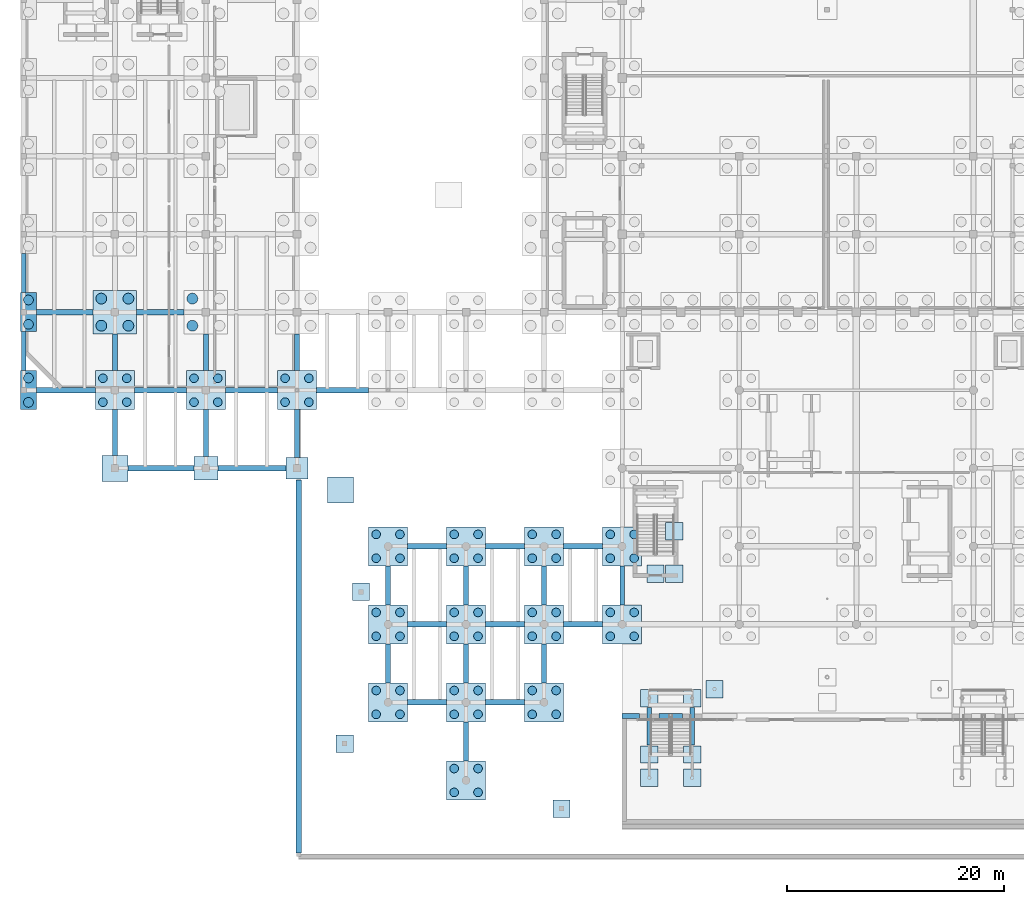
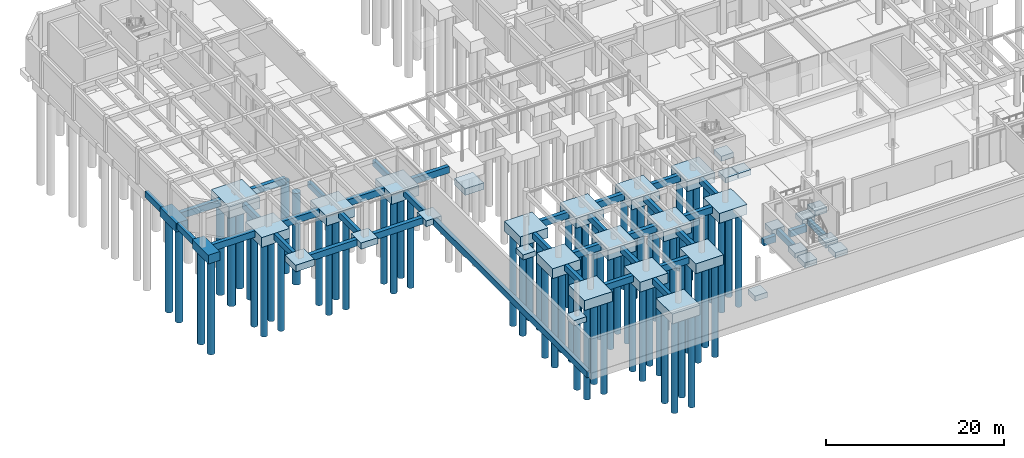
# One storey, part 1 of 46: 72 footings, 70 piles.
"""IFC4 building model written with IfcOpenShell, lengths in metres."""

from ifc_helpers import new_model, si_unit, direction, frame, origin, origin_2d, place, context, subcontext, project, spatial, rectangle, circle, extrude, material, material_profile, profile_set, type_object, element, save


model = new_model("IFC4")

# Units and contexts
model_context = context("Model", 3, precision=1e-05, world=origin(), true_north=direction((0.0, 1.0)))
body_context = subcontext(model_context, "Body", "Model", "MODEL_VIEW")
ifc_project = project(units=[si_unit("LENGTHUNIT", "METRE"), si_unit("AREAUNIT", "SQUARE_METRE"), si_unit("VOLUMEUNIT", "CUBIC_METRE"), si_unit("PLANEANGLEUNIT", "RADIAN"), si_unit("MASSUNIT", "GRAM", prefix="KILO")], contexts=[model_context])

# Site, building, storey
site_placement = place(None, origin())
site = spatial("IfcSite", under=ifc_project, at=site_placement, CompositionType="ELEMENT")
building_placement = place(site_placement, origin())
building = spatial("IfcBuilding", under=site, at=building_placement, Name="Tazoul Stagehouse", CompositionType="ELEMENT")
storey_placement = place(building_placement, frame((0.0, 0.0, -4.800048828125)))
storey = spatial("IfcBuildingStorey", under=building, at=storey_placement, Name="B1", CompositionType="ELEMENT", Elevation=-4.800048828125)

# Piles
ifc_material = material(Name="Concrete C35/45", Category="concrete")
ifc_material_profile_1 = material_profile(ifc_material, circle(Radius=0.5, at=origin_2d()), Name="BORED PILE 1000")
ifc_profile_set_1 = profile_set([ifc_material_profile_1], Name="Concrete C35/45")
pile_type_1 = type_object("IfcPileType", Name="Bored Cast-in-Place Concrete Pile D1000", PredefinedType="BORED", material=ifc_profile_set_1)
for number, where, z_axis, x_axis, name in (
    (1, (9.550048828125, 50.550048828125, -1.449951171875), (0.0, 0.0, -1.0), (1.0, 0.0, 0.0), "Bored Pile PL-03 2/H-1"),
    (2, (12.050048828125, 50.550048828125, -1.449951171875), (0.0, 0.0, -1.0), (1.0, 0.0, 0.0), "Bored Pile PL-03 2/H-2"),
    (3, (9.550048828125, 53.050048828125, -1.449951171875), (0.0, 0.0, -1.0), (1.0, 0.0, 0.0), "Bored Pile PL-03 2/H-3"),
    (4, (12.050048828125, 53.050048828125, -1.449951171875), (0.0, 0.0, -1.0), (1.0, 0.0, 0.0), "Bored Pile PL-03 2/H-4"),
    (5, (17.949951171875, 50.550048828125, -1.449951171875), (0.0, 0.0, -1.0), (1.0, 0.0, 0.0), "Bored Pile PL-03 3/H-1"),
    (6, (17.949951171875, 53.050048828125, -1.449951171875), (0.0, 0.0, -1.0), (1.0, 0.0, 0.0), "Bored Pile PL-03 3/H-3"),
):
    element("IfcPile", number, at=place(storey_placement, frame(where, z_axis=z_axis, x_axis=x_axis)), inside=storey, type_object=pile_type_1, Name=name, PredefinedType="BORED", context=body_context, shape_type="SweptSolid", body=[
        extrude(circle(Radius=0.5, at=origin_2d()), origin(), (0.0, 0.0, 1.0), 12.550048828125),
    ])
ifc_material_profile_2 = material_profile(ifc_material, circle(Radius=0.39990234375, at=origin_2d()), Name="BORED PILE 800")
ifc_profile_set_2 = profile_set([ifc_material_profile_2], Name="Concrete C35/45")
pile_type_2 = type_object("IfcPileType", Name="Bored Cast-in-Place Concrete Pile D800", PredefinedType="BORED", material=ifc_profile_set_2)
for number, where, z_axis, x_axis, name in (
    (7, (9.699951171875, 43.5, -1.25), (0.0, 0.0, -1.0), (1.0, 0.0, 0.0), "Bored Pile PL-01 2/G-1"),
    (8, (11.89990234375, 43.5, -1.25), (0.0, 0.0, -1.0), (1.0, 0.0, 0.0), "Bored Pile PL-01 2/G-2"),
    (9, (9.699951171875, 45.699951171875, -1.25), (0.0, 0.0, -1.0), (1.0, 0.0, 0.0), "Bored Pile PL-01 2/G-3"),
    (10, (11.89990234375, 45.699951171875, -1.25), (0.0, 0.0, -1.0), (1.0, 0.0, 0.0), "Bored Pile PL-01 2/G-4"),
    (11, (18.10009765625, 43.5, -1.25), (0.0, 0.0, -1.0), (1.0, 0.0, 0.0), "Bored Pile PL-01 3/G-1"),
    (12, (20.300048828125, 43.5, -1.25), (0.0, 0.0, -1.0), (1.0, 0.0, 0.0), "Bored Pile PL-01 3/G-2"),
    (13, (18.10009765625, 45.699951171875, -1.25), (0.0, 0.0, -1.0), (1.0, 0.0, 0.0), "Bored Pile PL-01 3/G-3"),
    (14, (20.300048828125, 45.699951171875, -1.25), (0.0, 0.0, -1.0), (1.0, 0.0, 0.0), "Bored Pile PL-01 3/G-4"),
    (15, (26.5, 43.5, -1.25), (0.0, 0.0, -1.0), (1.0, 0.0, 0.0), "Bored Pile PL-01 4/G-1"),
    (16, (28.699951171875, 43.5, -1.25), (0.0, 0.0, -1.0), (1.0, 0.0, 0.0), "Bored Pile PL-01 4/G-2"),
    (17, (26.5, 45.699951171875, -1.25), (0.0, 0.0, -1.0), (1.0, 0.0, 0.0), "Bored Pile PL-01 4/G-3"),
    (18, (28.699951171875, 45.699951171875, -1.25), (0.0, 0.0, -1.0), (1.0, 0.0, 0.0), "Bored Pile PL-01 4/G-4"),
    (19, (34.89990234375, 14.699951171875, -1.25), (0.0, 0.0, -1.0), (1.0, 0.0, 0.0), "Bored Pile PL-01 5/C-1"),
    (20, (37.10009765625, 14.699951171875, -1.25), (0.0, 0.0, -1.0), (1.0, 0.0, 0.0), "Bored Pile PL-01 5/C-2"),
    (21, (34.89990234375, 16.89990234375, -1.25), (0.0, 0.0, -1.0), (1.0, 0.0, 0.0), "Bored Pile PL-01 5/C-3"),
    (22, (37.10009765625, 16.89990234375, -1.25), (0.0, 0.0, -1.0), (1.0, 0.0, 0.0), "Bored Pile PL-01 5/C-4"),
    (23, (34.89990234375, 21.89990234375, -1.25), (0.0, 0.0, -1.0), (1.0, 0.0, 0.0), "Bored Pile PL-01 5/D-1"),
    (24, (37.10009765625, 21.89990234375, -1.25), (0.0, 0.0, -1.0), (1.0, 0.0, 0.0), "Bored Pile PL-01 5/D-2"),
    (25, (34.89990234375, 24.10009765625, -1.25), (0.0, 0.0, -1.0), (1.0, 0.0, 0.0), "Bored Pile PL-01 5/D-3"),
    (26, (37.10009765625, 24.10009765625, -1.25), (0.0, 0.0, -1.0), (1.0, 0.0, 0.0), "Bored Pile PL-01 5/D-4"),
    (27, (34.89990234375, 29.10009765625, -1.25), (0.0, 0.0, -1.0), (1.0, 0.0, 0.0), "Bored Pile PL-01 5/E-1"),
    (28, (37.10009765625, 29.10009765625, -1.25), (0.0, 0.0, -1.0), (1.0, 0.0, 0.0), "Bored Pile PL-01 5/E-2"),
    (29, (34.89990234375, 31.300048828125, -1.25), (0.0, 0.0, -1.0), (1.0, 0.0, 0.0), "Bored Pile PL-01 5/E-3"),
    (30, (37.10009765625, 31.300048828125, -1.25), (0.0, 0.0, -1.0), (1.0, 0.0, 0.0), "Bored Pile PL-01 5/E-4"),
    (31, (42.10009765625, 7.5, -1.25), (0.0, 0.0, -1.0), (1.0, 0.0, 0.0), "Bored Pile PL-01 6/B-1"),
    (32, (44.300048828125, 7.5, -1.25), (0.0, 0.0, -1.0), (1.0, 0.0, 0.0), "Bored Pile PL-01 6/B-2"),
    (33, (42.10009765625, 9.699951171875, -1.25), (0.0, 0.0, -1.0), (1.0, 0.0, 0.0), "Bored Pile PL-01 6/B-3"),
    (34, (44.300048828125, 9.699951171875, -1.25), (0.0, 0.0, -1.0), (1.0, 0.0, 0.0), "Bored Pile PL-01 6/B-4"),
    (35, (42.10009765625, 14.699951171875, -1.25), (0.0, 0.0, -1.0), (1.0, 0.0, 0.0), "Bored Pile PL-01 6/C-1"),
    (36, (44.300048828125, 14.699951171875, -1.25), (0.0, 0.0, -1.0), (1.0, 0.0, 0.0), "Bored Pile PL-01 6/C-2"),
    (37, (42.10009765625, 16.89990234375, -1.25), (0.0, 0.0, -1.0), (1.0, 0.0, 0.0), "Bored Pile PL-01 6/C-3"),
    (38, (44.300048828125, 16.89990234375, -1.25), (0.0, 0.0, -1.0), (1.0, 0.0, 0.0), "Bored Pile PL-01 6/C-4"),
    (39, (42.10009765625, 21.89990234375, -1.25), (0.0, 0.0, -1.0), (1.0, 0.0, 0.0), "Bored Pile PL-01 6/D-1"),
    (40, (44.300048828125, 21.89990234375, -1.25), (0.0, 0.0, -1.0), (1.0, 0.0, 0.0), "Bored Pile PL-01 6/D-2"),
    (41, (42.10009765625, 24.10009765625, -1.25), (0.0, 0.0, -1.0), (1.0, 0.0, 0.0), "Bored Pile PL-01 6/D-3"),
    (42, (44.300048828125, 24.10009765625, -1.25), (0.0, 0.0, -1.0), (1.0, 0.0, 0.0), "Bored Pile PL-01 6/D-4"),
    (43, (42.10009765625, 29.10009765625, -1.25), (0.0, 0.0, -1.0), (1.0, 0.0, 0.0), "Bored Pile PL-01 6/E-1"),
    (44, (44.300048828125, 29.10009765625, -1.25), (0.0, 0.0, -1.0), (1.0, 0.0, 0.0), "Bored Pile PL-01 6/E-2"),
    (45, (42.10009765625, 31.300048828125, -1.25), (0.0, 0.0, -1.0), (1.0, 0.0, 0.0), "Bored Pile PL-01 6/E-3"),
    (46, (44.300048828125, 31.300048828125, -1.25), (0.0, 0.0, -1.0), (1.0, 0.0, 0.0), "Bored Pile PL-01 6/E-4"),
    (47, (49.300048828125, 14.699951171875, -1.25), (0.0, 0.0, -1.0), (1.0, 0.0, 0.0), "Bored Pile PL-01 7/C-1"),
    (48, (51.5, 14.699951171875, -1.25), (0.0, 0.0, -1.0), (1.0, 0.0, 0.0), "Bored Pile PL-01 7/C-2"),
    (49, (49.300048828125, 16.89990234375, -1.25), (0.0, 0.0, -1.0), (1.0, 0.0, 0.0), "Bored Pile PL-01 7/C-3"),
    (50, (51.5, 16.89990234375, -1.25), (0.0, 0.0, -1.0), (1.0, 0.0, 0.0), "Bored Pile PL-01 7/C-4"),
    (51, (49.300048828125, 21.89990234375, -1.25), (0.0, 0.0, -1.0), (1.0, 0.0, 0.0), "Bored Pile PL-01 7/D-1"),
    (52, (51.5, 21.89990234375, -1.25), (0.0, 0.0, -1.0), (1.0, 0.0, 0.0), "Bored Pile PL-01 7/D-2"),
    (53, (49.300048828125, 24.10009765625, -1.25), (0.0, 0.0, -1.0), (1.0, 0.0, 0.0), "Bored Pile PL-01 7/D-3"),
    (54, (51.5, 24.10009765625, -1.25), (0.0, 0.0, -1.0), (1.0, 0.0, 0.0), "Bored Pile PL-01 7/D-4"),
    (55, (49.300048828125, 29.10009765625, -1.25), (0.0, 0.0, -1.0), (1.0, 0.0, 0.0), "Bored Pile PL-01 7/E-1"),
    (56, (51.5, 29.10009765625, -1.25), (0.0, 0.0, -1.0), (1.0, 0.0, 0.0), "Bored Pile PL-01 7/E-2"),
    (57, (49.300048828125, 31.300048828125, -1.25), (0.0, 0.0, -1.0), (1.0, 0.0, 0.0), "Bored Pile PL-01 7/E-3"),
    (58, (51.5, 31.300048828125, -1.25), (0.0, 0.0, -1.0), (1.0, 0.0, 0.0), "Bored Pile PL-01 7/E-4"),
    (59, (56.5, 21.89990234375, -1.25), (0.0, 0.0, -1.0), (1.0, 0.0, 0.0), "Bored Pile PL-01 8/D-1"),
    (60, (58.699951171875, 21.89990234375, -1.25), (0.0, 0.0, -1.0), (1.0, 0.0, 0.0), "Bored Pile PL-01 8/D-2"),
    (61, (56.5, 24.10009765625, -1.25), (0.0, 0.0, -1.0), (1.0, 0.0, 0.0), "Bored Pile PL-01 8/D-3"),
    (62, (58.699951171875, 24.10009765625, -1.25), (0.0, 0.0, -1.0), (1.0, 0.0, 0.0), "Bored Pile PL-01 8/D-4"),
    (63, (56.5, 29.10009765625, -1.25), (0.0, 0.0, -1.0), (1.0, 0.0, 0.0), "Bored Pile PL-01 8/E-1"),
    (64, (58.699951171875, 29.10009765625, -1.25), (0.0, 0.0, -1.0), (1.0, 0.0, 0.0), "Bored Pile PL-01 8/E-2"),
    (65, (56.5, 31.300048828125, -1.25), (0.0, 0.0, -1.0), (1.0, 0.0, 0.0), "Bored Pile PL-01 8/E-3"),
    (66, (58.699951171875, 31.300048828125, -1.25), (0.0, 0.0, -1.0), (1.0, 0.0, 0.0), "Bored Pile PL-01 8/E-4"),
):
    element("IfcPile", number, at=place(storey_placement, frame(where, z_axis=z_axis, x_axis=x_axis)), inside=storey, type_object=pile_type_2, Name=name, PredefinedType="BORED", context=body_context, shape_type="SweptSolid", body=[
        extrude(circle(Radius=0.39990234375, at=origin_2d()), origin(), (0.0, 0.0, 1.0), 12.75),
    ])
ifc_material_profile_3 = material_profile(ifc_material, circle(Radius=0.449951171875, at=origin_2d()), Name="BORED PILE 900")
ifc_profile_set_3 = profile_set([ifc_material_profile_3], Name="Concrete C35/45")
pile_type_3 = type_object("IfcPileType", Name="Bored Cast-in-Place Concrete Pile D900", PredefinedType="BORED", material=ifc_profile_set_3)
for number, where, z_axis, x_axis, name in (
    (67, (2.830078125, 43.47509765625, -1.099853515625), (0.0, 0.0, -1.0), (1.0, 0.0, 0.0), "Bored Pile PL-02 1/G-1"),
    (68, (2.830078125, 45.72509765625, -1.099853515625), (0.0, 0.0, -1.0), (1.0, 0.0, 0.0), "Bored Pile PL-02 1/G-2"),
    (69, (2.830078125, 50.675048828125, -1.099853515625), (0.0, 0.0, -1.0), (1.0, 0.0, 0.0), "Bored Pile PL-02 1/H-1"),
    (70, (2.830078125, 52.925048828125, -1.099853515625), (0.0, 0.0, -1.0), (1.0, 0.0, 0.0), "Bored Pile PL-02 1/H-2"),
):
    element("IfcPile", number, at=place(storey_placement, frame(where, z_axis=z_axis, x_axis=x_axis)), inside=storey, type_object=pile_type_3, Name=name, PredefinedType="BORED", context=body_context, shape_type="SweptSolid", body=[
        extrude(circle(Radius=0.449951171875, at=origin_2d()), origin(), (0.0, 0.0, 1.0), 12.89990234375),
    ])

# Footings
footing_type_1 = type_object("IfcFootingType", Name="Four-Pile Cap 3600x3600x1350", PredefinedType="PILE_CAP", material=ifc_material)
for number, where, z_axis, x_axis, name in (
    (71, (10.800048828125, 44.60009765625, -1.35009765625), (0.0, 0.0, 1.0), (1.0, 0.0, 0.0), "Pile Cap PC-04 at 2/G"),
    (72, (19.199951171875, 44.60009765625, -1.35009765625), (0.0, 0.0, 1.0), (1.0, 0.0, 0.0), "Pile Cap PC-04 at 3/G"),
    (73, (27.60009765625, 44.60009765625, -1.35009765625), (0.0, 0.0, 1.0), (1.0, 0.0, 0.0), "Pile Cap PC-04 at 4/G"),
    (74, (36.0, 15.800048828125, -1.35009765625), (0.0, 0.0, 1.0), (1.0, 0.0, 0.0), "Pile Cap PC-04 at 5/C"),
    (75, (36.0, 23.0, -1.35009765625), (0.0, 0.0, 1.0), (1.0, 0.0, 0.0), "Pile Cap PC-04 at 5/D"),
    (76, (36.0, 30.199951171875, -1.35009765625), (0.0, 0.0, 1.0), (1.0, 0.0, 0.0), "Pile Cap PC-04 at 5/E"),
    (77, (43.199951171875, 8.60009765625, -1.35009765625), (0.0, 0.0, 1.0), (1.0, 0.0, 0.0), "Pile Cap PC-04 at 6/B"),
    (78, (43.199951171875, 15.800048828125, -1.35009765625), (0.0, 0.0, 1.0), (1.0, 0.0, 0.0), "Pile Cap PC-04 at 6/C"),
    (79, (43.199951171875, 23.0, -1.35009765625), (0.0, 0.0, 1.0), (1.0, 0.0, 0.0), "Pile Cap PC-04 at 6/D"),
    (80, (43.199951171875, 30.199951171875, -1.35009765625), (0.0, 0.0, 1.0), (1.0, 0.0, 0.0), "Pile Cap PC-04 at 6/E"),
    (81, (50.39990234375, 15.800048828125, -1.35009765625), (0.0, 0.0, 1.0), (1.0, 0.0, 0.0), "Pile Cap PC-04 at 7/C"),
    (82, (50.39990234375, 23.0, -1.35009765625), (0.0, 0.0, 1.0), (1.0, 0.0, 0.0), "Pile Cap PC-04 at 7/D"),
    (83, (50.39990234375, 30.199951171875, -1.35009765625), (0.0, 0.0, 1.0), (1.0, 0.0, 0.0), "Pile Cap PC-04 at 7/E"),
    (84, (57.60009765625, 23.0, -1.35009765625), (0.0, 0.0, 1.0), (1.0, 0.0, 0.0), "Pile Cap PC-04 at 8/D"),
    (85, (57.60009765625, 30.199951171875, -1.35009765625), (0.0, 0.0, 1.0), (1.0, 0.0, 0.0), "Pile Cap PC-04 at 8/E"),
):
    element("IfcFooting", number, at=place(storey_placement, frame(where, z_axis=z_axis, x_axis=x_axis)), inside=storey, type_object=footing_type_1, Name=name, PredefinedType="PILE_CAP", context=body_context, shape_type="SweptSolid", body=[
        extrude(rectangle(XDim=3.60009765625, YDim=3.60009765625, at=origin_2d()), origin(), (0.0, 0.0, 1.0), 1.35009765625),
    ])
footing_type_2 = type_object("IfcFootingType", Name="Four-Pile Cap 4000x4000x1550", PredefinedType="PILE_CAP", material=ifc_material)
footing_1_placement = place(storey_placement, frame((10.800048828125, 51.800048828125, -1.5498046875), z_axis=(0.0, 0.0, 1.0), x_axis=(1.0, 0.0, 0.0)))
element("IfcFooting", 86, at=footing_1_placement, inside=storey, type_object=footing_type_2, Name="Pile Cap PC-06 at 2/H", PredefinedType="PILE_CAP", context=body_context, shape_type="SweptSolid", body=[
    extrude(rectangle(XDim=4.0, YDim=4.0, at=origin_2d()), origin(), (0.0, 0.0, 1.0), 1.550048828125),
])
ifc_material_profile_4 = material_profile(ifc_material, rectangle(XDim=0.449951171875, YDim=0.800048828125, at=origin_2d()), Name="RC 450x800")
ifc_profile_set_4 = profile_set([ifc_material_profile_4], Name="Concrete C35/45")
footing_type_3 = type_object("IfcFootingType", Name="Ground Tie Beam 450x800", PredefinedType="FOOTING_BEAM", material=ifc_profile_set_4)
footing_2_placement = place(storey_placement, frame((2.39990234375, 46.39990234375, -0.39990234375), z_axis=(0.0, 1.0, 0.0), x_axis=(-1.0, 0.0, 0.0)))
element("IfcFooting", 87, at=footing_2_placement, inside=storey, type_object=footing_type_3, Name="Ground Tie Beam GB-01 1/G-H", PredefinedType="FOOTING_BEAM", context=body_context, shape_type="SweptSolid", body=[
    extrude(rectangle(XDim=0.449951171875, YDim=0.800048828125, at=origin_2d()), origin(), (0.0, 0.0, 1.0), 3.60009765625),
])
footing_3_placement = place(storey_placement, frame((2.39990234375, 53.60009765625, -0.39990234375), z_axis=(0.0, 1.0, 0.0), x_axis=(-1.0, 0.0, 0.0)))
element("IfcFooting", 88, at=footing_3_placement, inside=storey, type_object=footing_type_3, Name="Ground Tie Beam GB-01 1/H-J", PredefinedType="FOOTING_BEAM", context=body_context, shape_type="SweptSolid", body=[
    extrude(rectangle(XDim=0.449951171875, YDim=0.800048828125, at=origin_2d()), origin(), (0.0, 0.0, 1.0), 3.599853515625),
])
footing_4_placement = place(storey_placement, frame((10.800048828125, 38.60009765625, -0.39990234375), z_axis=(0.0, 1.0, 0.0), x_axis=(-1.0, 0.0, 0.0)))
element("IfcFooting", 89, at=footing_4_placement, inside=storey, type_object=footing_type_3, Name="Ground Tie Beam GB-01 2/F-G", PredefinedType="FOOTING_BEAM", context=body_context, shape_type="SweptSolid", body=[
    extrude(rectangle(XDim=0.449951171875, YDim=0.800048828125, at=origin_2d()), origin(), (0.0, 0.0, 1.0), 4.199951171875),
])
footing_5_placement = place(storey_placement, frame((10.800048828125, 46.39990234375, -0.39990234375), z_axis=(0.0, 1.0, 0.0), x_axis=(-1.0, 0.0, 0.0)))
element("IfcFooting", 90, at=footing_5_placement, inside=storey, type_object=footing_type_3, Name="Ground Tie Beam GB-01 2/G-H", PredefinedType="FOOTING_BEAM", context=body_context, shape_type="SweptSolid", body=[
    extrude(rectangle(XDim=0.449951171875, YDim=0.800048828125, at=origin_2d()), origin(), (0.0, 0.0, 1.0), 3.400146484375),
])
footing_6_placement = place(storey_placement, frame((19.199951171875, 38.5, -0.39990234375), z_axis=(0.0, 1.0, 0.0), x_axis=(-1.0, 0.0, 0.0)))
element("IfcFooting", 91, at=footing_6_placement, inside=storey, type_object=footing_type_3, Name="Ground Tie Beam GB-01 3/F-G", PredefinedType="FOOTING_BEAM", context=body_context, shape_type="SweptSolid", body=[
    extrude(rectangle(XDim=0.449951171875, YDim=0.800048828125, at=origin_2d()), origin(), (0.0, 0.0, 1.0), 4.300048828125),
])
footing_7_placement = place(storey_placement, frame((19.199951171875, 46.39990234375, -0.39990234375), z_axis=(0.0, 1.0, 0.0), x_axis=(-1.0, 0.0, 0.0)))
element("IfcFooting", 92, at=footing_7_placement, inside=storey, type_object=footing_type_3, Name="Ground Tie Beam GB-01 3/G-H", PredefinedType="FOOTING_BEAM", context=body_context, shape_type="SweptSolid", body=[
    extrude(rectangle(XDim=0.449951171875, YDim=0.800048828125, at=origin_2d()), origin(), (0.0, 0.0, 1.0), 3.400146484375),
])
footing_8_placement = place(storey_placement, frame((27.60009765625, 38.39990234375, -0.39990234375), z_axis=(0.0, 1.0, 0.0), x_axis=(-1.0, 0.0, 0.0)))
element("IfcFooting", 93, at=footing_8_placement, inside=storey, type_object=footing_type_3, Name="Ground Tie Beam GB-01 4/F-G", PredefinedType="FOOTING_BEAM", context=body_context, shape_type="SweptSolid", body=[
    extrude(rectangle(XDim=0.449951171875, YDim=0.800048828125, at=origin_2d()), origin(), (0.0, 0.0, 1.0), 4.400146484375),
])
footing_9_placement = place(storey_placement, frame((27.60009765625, 46.39990234375, -0.39990234375), z_axis=(0.0, 1.0, 0.0), x_axis=(-1.0, 0.0, 0.0)))
element("IfcFooting", 94, at=footing_9_placement, inside=storey, type_object=footing_type_3, Name="Ground Tie Beam GB-01 4/G-H", PredefinedType="FOOTING_BEAM", context=body_context, shape_type="SweptSolid", body=[
    extrude(rectangle(XDim=0.449951171875, YDim=0.800048828125, at=origin_2d()), origin(), (0.0, 0.0, 1.0), 3.400146484375),
])
for number, where, z_axis, x_axis, name in (
    (95, (36.0, 17.60009765625, -0.39990234375), (0.0, 1.0, 0.0), (-1.0, 0.0, 0.0), "Ground Tie Beam GB-01 5/C-D"),
    (96, (36.0, 24.800048828125, -0.39990234375), (0.0, 1.0, 0.0), (-1.0, 0.0, 0.0), "Ground Tie Beam GB-01 5/D-E"),
):
    element("IfcFooting", number, at=place(storey_placement, frame(where, z_axis=z_axis, x_axis=x_axis)), inside=storey, type_object=footing_type_3, Name=name, PredefinedType="FOOTING_BEAM", context=body_context, shape_type="SweptSolid", body=[
        extrude(rectangle(XDim=0.449951171875, YDim=0.800048828125, at=origin_2d()), origin(), (0.0, 0.0, 1.0), 3.599853515625),
    ])
footing_10_placement = place(storey_placement, frame((43.199951171875, 10.39990234375, -0.39990234375), z_axis=(0.0, 1.0, 0.0), x_axis=(-1.0, 0.0, 0.0)))
element("IfcFooting", 97, at=footing_10_placement, inside=storey, type_object=footing_type_3, Name="Ground Tie Beam GB-01 6/B-C", PredefinedType="FOOTING_BEAM", context=body_context, shape_type="SweptSolid", body=[
    extrude(rectangle(XDim=0.449951171875, YDim=0.800048828125, at=origin_2d()), origin(), (0.0, 0.0, 1.0), 3.60009765625),
])
for number, where, z_axis, x_axis, name in (
    (98, (43.199951171875, 17.60009765625, -0.39990234375), (0.0, 1.0, 0.0), (-1.0, 0.0, 0.0), "Ground Tie Beam GB-01 6/C-D"),
    (99, (43.199951171875, 24.800048828125, -0.39990234375), (0.0, 1.0, 0.0), (-1.0, 0.0, 0.0), "Ground Tie Beam GB-01 6/D-E"),
    (100, (50.39990234375, 17.60009765625, -0.39990234375), (0.0, 1.0, 0.0), (-1.0, 0.0, 0.0), "Ground Tie Beam GB-01 7/C-D"),
    (101, (50.39990234375, 24.800048828125, -0.39990234375), (0.0, 1.0, 0.0), (-1.0, 0.0, 0.0), "Ground Tie Beam GB-01 7/D-E"),
    (102, (57.60009765625, 24.800048828125, -0.39990234375), (0.0, 1.0, 0.0), (-1.0, 0.0, 0.0), "Ground Tie Beam GB-01 8/D-E"),
):
    element("IfcFooting", number, at=place(storey_placement, frame(where, z_axis=z_axis, x_axis=x_axis)), inside=storey, type_object=footing_type_3, Name=name, PredefinedType="FOOTING_BEAM", context=body_context, shape_type="SweptSolid", body=[
        extrude(rectangle(XDim=0.449951171875, YDim=0.800048828125, at=origin_2d()), origin(), (0.0, 0.0, 1.0), 3.599853515625),
    ])
for number, where, z_axis, x_axis, name in (
    (103, (60.090087890625, 11.860107421875, -0.39990234375), (0.0, 1.0, 0.0), (-1.0, 0.0, 0.0), "Civic Stair Cheek Wall Strip Footing Beam GB-01 (ST-AMP-W-W)"),
    (104, (64.06005859375, 11.860107421875, -0.39990234375), (0.0, 1.0, 0.0), (-1.0, 0.0, 0.0), "Civic Stair Cheek Wall Strip Footing Beam GB-01 (ST-AMP-W-E)"),
):
    element("IfcFooting", number, at=place(storey_placement, frame(where, z_axis=z_axis, x_axis=x_axis)), inside=storey, type_object=footing_type_3, Name=name, PredefinedType="FOOTING_BEAM", context=body_context, shape_type="SweptSolid", body=[
        extrude(rectangle(XDim=0.449951171875, YDim=0.800048828125, at=origin_2d()), origin(), (0.0, 0.0, 1.0), 3.47998046875),
    ])
ifc_material_profile_5 = material_profile(ifc_material, rectangle(XDim=0.5, YDim=0.89990234375, at=origin_2d()), Name="RC 500x900")
ifc_profile_set_5 = profile_set([ifc_material_profile_5], Name="Concrete C35/45")
footing_type_4 = type_object("IfcFootingType", Name="Ground Tie Beam 500x900", PredefinedType="FOOTING_BEAM", material=ifc_profile_set_5)
footing_11_placement = place(storey_placement, frame((37.800048828125, 15.800048828125, -0.449951171875), z_axis=(1.0, 0.0, 0.0), x_axis=(0.0, 1.0, 0.0)))
element("IfcFooting", 105, at=footing_11_placement, inside=storey, type_object=footing_type_4, Name="Ground Tie Beam GB-02 C/5-6", PredefinedType="FOOTING_BEAM", context=body_context, shape_type="SweptSolid", body=[
    extrude(rectangle(XDim=0.5, YDim=0.89990234375, at=origin_2d()), origin(), (0.0, 0.0, 1.0), 3.599853515625),
])
footing_12_placement = place(storey_placement, frame((45.0, 15.800048828125, -0.449951171875), z_axis=(1.0, 0.0, 0.0), x_axis=(0.0, 1.0, 0.0)))
element("IfcFooting", 106, at=footing_12_placement, inside=storey, type_object=footing_type_4, Name="Ground Tie Beam GB-02 C/6-7", PredefinedType="FOOTING_BEAM", context=body_context, shape_type="SweptSolid", body=[
    extrude(rectangle(XDim=0.5, YDim=0.89990234375, at=origin_2d()), origin(), (0.0, 0.0, 1.0), 3.60009765625),
])
footing_13_placement = place(storey_placement, frame((37.800048828125, 23.0, -0.449951171875), z_axis=(1.0, 0.0, 0.0), x_axis=(0.0, 1.0, 0.0)))
element("IfcFooting", 107, at=footing_13_placement, inside=storey, type_object=footing_type_4, Name="Ground Tie Beam GB-02 D/5-6", PredefinedType="FOOTING_BEAM", context=body_context, shape_type="SweptSolid", body=[
    extrude(rectangle(XDim=0.5, YDim=0.89990234375, at=origin_2d()), origin(), (0.0, 0.0, 1.0), 3.599853515625),
])
for number, where, z_axis, x_axis, name in (
    (108, (45.0, 23.0, -0.449951171875), (1.0, 0.0, 0.0), (0.0, 1.0, 0.0), "Ground Tie Beam GB-02 D/6-7"),
    (109, (52.199951171875, 23.0, -0.449951171875), (1.0, 0.0, 0.0), (0.0, 1.0, 0.0), "Ground Tie Beam GB-02 D/7-8"),
):
    element("IfcFooting", number, at=place(storey_placement, frame(where, z_axis=z_axis, x_axis=x_axis)), inside=storey, type_object=footing_type_4, Name=name, PredefinedType="FOOTING_BEAM", context=body_context, shape_type="SweptSolid", body=[
        extrude(rectangle(XDim=0.5, YDim=0.89990234375, at=origin_2d()), origin(), (0.0, 0.0, 1.0), 3.60009765625),
    ])
footing_14_placement = place(storey_placement, frame((37.800048828125, 30.199951171875, -0.449951171875), z_axis=(1.0, 0.0, 0.0), x_axis=(0.0, 1.0, 0.0)))
element("IfcFooting", 110, at=footing_14_placement, inside=storey, type_object=footing_type_4, Name="Ground Tie Beam GB-02 E/5-6", PredefinedType="FOOTING_BEAM", context=body_context, shape_type="SweptSolid", body=[
    extrude(rectangle(XDim=0.5, YDim=0.89990234375, at=origin_2d()), origin(), (0.0, 0.0, 1.0), 3.599853515625),
])
for number, where, z_axis, x_axis, name in (
    (111, (45.0, 30.199951171875, -0.449951171875), (1.0, 0.0, 0.0), (0.0, 1.0, 0.0), "Ground Tie Beam GB-02 E/6-7"),
    (112, (52.199951171875, 30.199951171875, -0.449951171875), (1.0, 0.0, 0.0), (0.0, 1.0, 0.0), "Ground Tie Beam GB-02 E/7-8"),
):
    element("IfcFooting", number, at=place(storey_placement, frame(where, z_axis=z_axis, x_axis=x_axis)), inside=storey, type_object=footing_type_4, Name=name, PredefinedType="FOOTING_BEAM", context=body_context, shape_type="SweptSolid", body=[
        extrude(rectangle(XDim=0.5, YDim=0.89990234375, at=origin_2d()), origin(), (0.0, 0.0, 1.0), 3.60009765625),
    ])
footing_15_placement = place(storey_placement, frame((12.0, 37.39990234375, -0.449951171875), z_axis=(1.0, 0.0, 0.0), x_axis=(0.0, 1.0, 0.0)))
element("IfcFooting", 113, at=footing_15_placement, inside=storey, type_object=footing_type_4, Name="Ground Tie Beam GB-02 F/2-3", PredefinedType="FOOTING_BEAM", context=body_context, shape_type="SweptSolid", body=[
    extrude(rectangle(XDim=0.5, YDim=0.89990234375, at=origin_2d()), origin(), (0.0, 0.0, 1.0), 6.10009765625),
])
footing_16_placement = place(storey_placement, frame((20.300048828125, 37.39990234375, -0.449951171875), z_axis=(1.0, 0.0, 0.0), x_axis=(0.0, 1.0, 0.0)))
element("IfcFooting", 114, at=footing_16_placement, inside=storey, type_object=footing_type_4, Name="Ground Tie Beam GB-02 F/3-4", PredefinedType="FOOTING_BEAM", context=body_context, shape_type="SweptSolid", body=[
    extrude(rectangle(XDim=0.5, YDim=0.89990234375, at=origin_2d()), origin(), (0.0, 0.0, 1.0), 6.300048828125),
])
footing_17_placement = place(storey_placement, frame((3.580078125, 44.60009765625, -0.449951171875), z_axis=(1.0, 0.0, 0.0), x_axis=(0.0, 1.0, 0.0)))
element("IfcFooting", 115, at=footing_17_placement, inside=storey, type_object=footing_type_4, Name="Ground Tie Beam GB-02 G/1-2", PredefinedType="FOOTING_BEAM", context=body_context, shape_type="SweptSolid", body=[
    extrude(rectangle(XDim=0.5, YDim=0.89990234375, at=origin_2d()), origin(), (0.0, 0.0, 1.0), 5.419921875),
])
footing_18_placement = place(storey_placement, frame((12.60009765625, 44.60009765625, -0.449951171875), z_axis=(1.0, 0.0, 0.0), x_axis=(0.0, 1.0, 0.0)))
element("IfcFooting", 116, at=footing_18_placement, inside=storey, type_object=footing_type_4, Name="Ground Tie Beam GB-02 G/2-3", PredefinedType="FOOTING_BEAM", context=body_context, shape_type="SweptSolid", body=[
    extrude(rectangle(XDim=0.5, YDim=0.89990234375, at=origin_2d()), origin(), (0.0, 0.0, 1.0), 4.7998046875),
])
for number, where, z_axis, x_axis, name in (
    (117, (21.0, 44.60009765625, -0.449951171875), (1.0, 0.0, 0.0), (0.0, 1.0, 0.0), "Ground Tie Beam GB-02 G/3-4"),
    (118, (29.39990234375, 44.60009765625, -0.449951171875), (1.0, 0.0, 0.0), (0.0, 1.0, 0.0), "Ground Tie Beam GB-02 G/4-5"),
):
    element("IfcFooting", number, at=place(storey_placement, frame(where, z_axis=z_axis, x_axis=x_axis)), inside=storey, type_object=footing_type_4, Name=name, PredefinedType="FOOTING_BEAM", context=body_context, shape_type="SweptSolid", body=[
        extrude(rectangle(XDim=0.5, YDim=0.89990234375, at=origin_2d()), origin(), (0.0, 0.0, 1.0), 4.800048828125),
    ])
footing_19_placement = place(storey_placement, frame((3.580078125, 51.800048828125, -0.449951171875), z_axis=(1.0, 0.0, 0.0), x_axis=(0.0, 1.0, 0.0)))
element("IfcFooting", 119, at=footing_19_placement, inside=storey, type_object=footing_type_4, Name="Ground Tie Beam GB-02 H/1-2", PredefinedType="FOOTING_BEAM", context=body_context, shape_type="SweptSolid", body=[
    extrude(rectangle(XDim=0.5, YDim=0.89990234375, at=origin_2d()), origin(), (0.0, 0.0, 1.0), 5.219970703125),
])
footing_20_placement = place(storey_placement, frame((12.800048828125, 51.800048828125, -0.449951171875), z_axis=(1.0, 0.0, 0.0), x_axis=(0.0, 1.0, 0.0)))
element("IfcFooting", 120, at=footing_20_placement, inside=storey, type_object=footing_type_4, Name="Ground Tie Beam GB-02 H/2-3", PredefinedType="FOOTING_BEAM", context=body_context, shape_type="SweptSolid", body=[
    extrude(rectangle(XDim=0.5, YDim=0.89990234375, at=origin_2d()), origin(), (0.0, 0.0, 1.0), 4.39990234375),
])
footing_21_placement = place(storey_placement, frame((27.75, 1.89990234375, -0.449951171875), z_axis=(0.0, 1.0, 0.0), x_axis=(-1.0, 0.0, 0.0)))
element("IfcFooting", 121, at=footing_21_placement, inside=storey, type_object=footing_type_4, Name="Plinth Retaining Strip Footing Beam GB-02 (W-1)", PredefinedType="FOOTING_BEAM", context=body_context, shape_type="SweptSolid", body=[
    extrude(rectangle(XDim=0.5, YDim=0.89990234375, at=origin_2d()), origin(), (0.0, 0.0, 1.0), 34.400146484375),
])
footing_22_placement = place(storey_placement, frame((57.60009765625, 14.550048828125, -0.449951171875), z_axis=(1.0, 0.0, 0.0), x_axis=(0.0, 1.0, 0.0)))
element("IfcFooting", 122, at=footing_22_placement, inside=storey, type_object=footing_type_4, Name="Plinth Retaining Strip Footing Beam GB-02 (N1-1)", PredefinedType="FOOTING_BEAM", context=body_context, shape_type="SweptSolid", body=[
    extrude(rectangle(XDim=0.5, YDim=0.89990234375, at=origin_2d()), origin(), (0.0, 0.0, 1.0), 1.58984375),
])
footing_23_placement = place(storey_placement, frame((60.989990234375, 14.550048828125, -0.449951171875), z_axis=(1.0, 0.0, 0.0), x_axis=(0.0, 1.0, 0.0)))
element("IfcFooting", 123, at=footing_23_placement, inside=storey, type_object=footing_type_4, Name="Plinth Retaining Strip Footing Beam GB-02 (N1-2)", PredefinedType="FOOTING_BEAM", context=body_context, shape_type="SweptSolid", body=[
    extrude(rectangle(XDim=0.5, YDim=0.89990234375, at=origin_2d()), origin(), (0.0, 0.0, 1.0), 2.169921875),
])
footing_type_5 = type_object("IfcFootingType", Name="Spread Pad Footing 1600x1600x700", PredefinedType="PAD_FOOTING", material=ifc_material)
for number, where, z_axis, x_axis, name in (
    (124, (62.39990234375, 27.679931640625, -0.69970703125), (0.0, 0.0, 1.0), (1.0, 0.0, 0.0), "Core Support Pad Footing PF-01 (C8B4)"),
    (125, (60.675048828125, 27.679931640625, -0.69970703125), (0.0, 0.0, 1.0), (1.0, 0.0, 0.0), "Core Support Pad Footing PF-01 (C8B5)"),
    (126, (62.39990234375, 31.580078125, -0.69970703125), (0.0, 0.0, 1.0), (1.0, 0.0, 0.0), "Core Support Pad Footing PF-01 (C8B8)"),
    (127, (60.10009765625, 8.85009765625, -0.69970703125), (0.0, 0.0, 1.0), (1.0, 0.0, 0.0), "Plaza Stair Pavilion Pad Footing PF-01 (AMP-W-1)"),
    (128, (64.050048828125, 8.85009765625, -0.69970703125), (0.0, 0.0, 1.0), (1.0, 0.0, 0.0), "Plaza Stair Pavilion Pad Footing PF-01 (AMP-W-2)"),
    (129, (60.090087890625, 11.0, -0.69970703125), (0.0, 0.0, 1.0), (1.0, 0.0, 0.0), "Civic Stair Near Pad Footing PF-01 (ST-AMP-W-W)"),
    (130, (60.090087890625, 16.199951171875, -0.69970703125), (0.0, 0.0, 1.0), (1.0, 0.0, 0.0), "Civic Stair Far Pad Footing PF-01 (ST-AMP-W-W)"),
    (131, (64.06005859375, 11.0, -0.69970703125), (0.0, 0.0, 1.0), (1.0, 0.0, 0.0), "Civic Stair Near Pad Footing PF-01 (ST-AMP-W-E)"),
    (132, (64.06005859375, 16.199951171875, -0.69970703125), (0.0, 0.0, 1.0), (1.0, 0.0, 0.0), "Civic Stair Far Pad Footing PF-01 (ST-AMP-W-E)"),
    (133, (32.0, 12.0, -0.69970703125), (0.0, 0.0, 1.0), (1.0, 0.0, 0.0), "Plaza Plinth Support Footing PF-01 (1)"),
    (134, (52.0, 6.0, -0.69970703125), (0.0, 0.0, 1.0), (1.0, 0.0, 0.0), "Plaza Plinth Support Footing PF-01 (2)"),
    (135, (33.5, 26.0, -0.69970703125), (0.0, 0.0, 1.0), (1.0, 0.0, 0.0), "Plaza Plinth Support Footing PF-01 (3)"),
    (136, (66.115234375, 17.030029296875, -0.69970703125), (0.0, 0.0, 1.0), (1.0, 0.0, 0.0), "Canopy Column Pad Footing PF-01 (V5-1)"),
):
    element("IfcFooting", number, at=place(storey_placement, frame(where, z_axis=z_axis, x_axis=x_axis)), inside=storey, type_object=footing_type_5, Name=name, PredefinedType="PAD_FOOTING", context=body_context, shape_type="SweptSolid", body=[
        extrude(rectangle(XDim=1.60009765625, YDim=1.60009765625, at=origin_2d()), origin(), (0.0, 0.0, 1.0), 0.699951171875),
    ])
footing_type_6 = type_object("IfcFootingType", Name="Spread Pad Footing 2000x2000x800", PredefinedType="PAD_FOOTING", material=ifc_material)
footing_24_placement = place(storey_placement, frame((27.60009765625, 37.39990234375, -0.7998046875), z_axis=(0.0, 0.0, 1.0), x_axis=(1.0, 0.0, 0.0)))
element("IfcFooting", 137, at=footing_24_placement, inside=storey, type_object=footing_type_6, Name="Pad Footing PF-03 at 4/F", PredefinedType="PAD_FOOTING", context=body_context, shape_type="SweptSolid", body=[
    extrude(rectangle(XDim=2.0, YDim=2.0, at=origin_2d()), origin(), (0.0, 0.0, 1.0), 0.800048828125),
])
footing_type_7 = type_object("IfcFootingType", Name="Spread Pad Footing 2200x2200x850", PredefinedType="PAD_FOOTING", material=ifc_material)
footing_25_placement = place(storey_placement, frame((19.199951171875, 37.39990234375, -0.85009765625), z_axis=(0.0, 0.0, 1.0), x_axis=(1.0, 0.0, 0.0)))
element("IfcFooting", 138, at=footing_25_placement, inside=storey, type_object=footing_type_7, Name="Pad Footing PF-04 at 3/F", PredefinedType="PAD_FOOTING", context=body_context, shape_type="SweptSolid", body=[
    extrude(rectangle(XDim=2.199951171875, YDim=2.199951171875, at=origin_2d()), origin(), (0.0, 0.0, 1.0), 0.85009765625),
])
footing_type_8 = type_object("IfcFootingType", Name="Spread Pad Footing 2400x2400x900", PredefinedType="PAD_FOOTING", material=ifc_material)
for number, where, z_axis, x_axis, name in (
    (139, (10.800048828125, 37.39990234375, -0.89990234375), (0.0, 0.0, 1.0), (1.0, 0.0, 0.0), "Pad Footing PF-05 at 2/F"),
    (140, (31.60009765625, 35.39990234375, 3.5), (0.0, 0.0, 1.0), (1.0, 0.0, 0.0), "West Plaza Accessible Entrance Ramp Toe Foundation Pad PF-05"),
):
    element("IfcFooting", number, at=place(storey_placement, frame(where, z_axis=z_axis, x_axis=x_axis)), inside=storey, type_object=footing_type_8, Name=name, PredefinedType="PAD_FOOTING", context=body_context, shape_type="SweptSolid", body=[
        extrude(rectangle(XDim=2.39990234375, YDim=2.39990234375, at=origin_2d()), origin(), (0.0, 0.0, 1.0), 0.89990234375),
    ])
footing_type_9 = type_object("IfcFootingType", Name="Two-Pile Cap 1500x3600x1200", PredefinedType="PILE_CAP", material=ifc_material)
for number, where, z_axis, x_axis, name in (
    (141, (2.830078125, 44.60009765625, -1.19970703125), (0.0, 0.0, 1.0), (1.0, 0.0, 0.0), "Pile Cap PC-02 at 1/G"),
    (142, (2.830078125, 51.800048828125, -1.19970703125), (0.0, 0.0, 1.0), (1.0, 0.0, 0.0), "Pile Cap PC-02 at 1/H"),
):
    element("IfcFooting", number, at=place(storey_placement, frame(where, z_axis=z_axis, x_axis=x_axis)), inside=storey, type_object=footing_type_9, Name=name, PredefinedType="PILE_CAP", context=body_context, shape_type="SweptSolid", body=[
        extrude(rectangle(XDim=1.5, YDim=3.60009765625, at=origin_2d()), origin(), (0.0, 0.0, 1.0), 1.199951171875),
    ])

save(model, "model.ifc")
